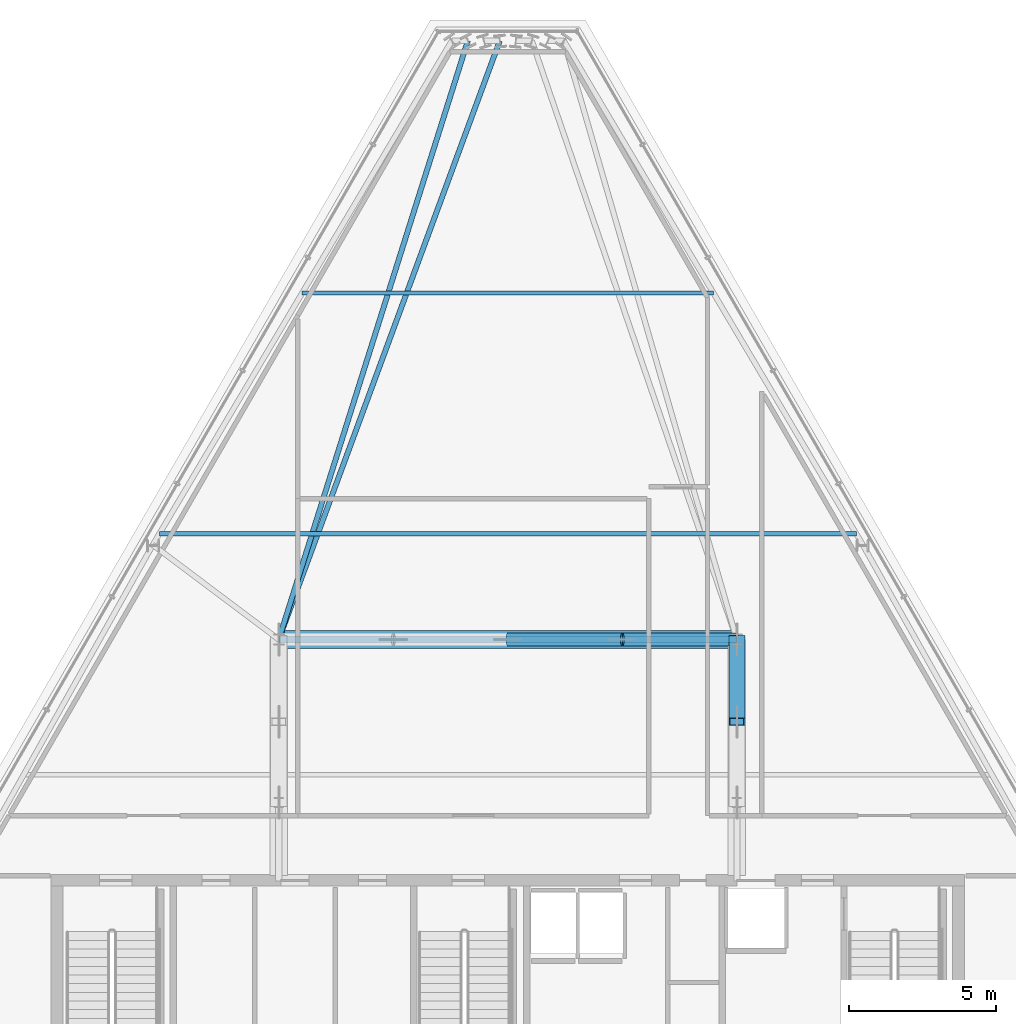
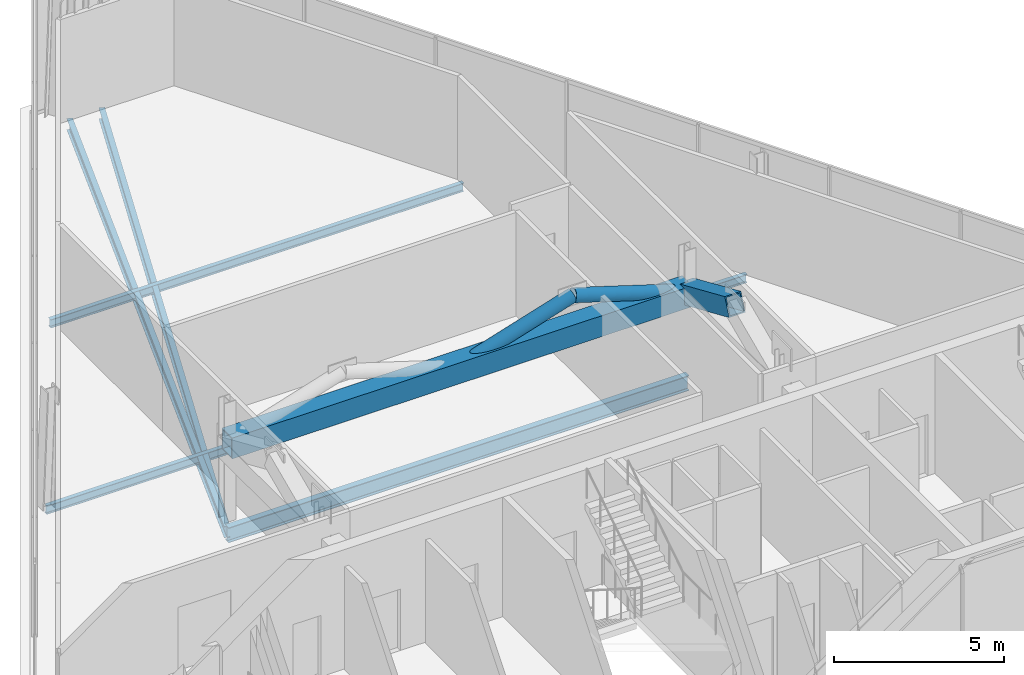
# One storey, part 17 of 32: 5 beams, 4 members.
"""IFC4 building model written with IfcOpenShell, lengths in metres."""

from ifc_helpers import new_model, si_unit, direction, frame, origin, origin_2d, place, context, subcontext, project, spatial, hollow_rectangle, hollow_circle, i_section, extrude, material, material_profile, profile_set, type_object, element, save


model = new_model("IFC4")

# Units and contexts
model_context = context("Model", 3, precision=1e-05, world=origin(), true_north=direction((0.0, 1.0)))
body_context = subcontext(model_context, "Body", "Model", "MODEL_VIEW")
ifc_project = project(units=[si_unit("LENGTHUNIT", "METRE"), si_unit("AREAUNIT", "SQUARE_METRE"), si_unit("VOLUMEUNIT", "CUBIC_METRE"), si_unit("PLANEANGLEUNIT", "RADIAN"), si_unit("MASSUNIT", "GRAM", prefix="KILO")], contexts=[model_context])

# Site, building, storey
site_placement = place(None, origin())
site = spatial("IfcSite", under=ifc_project, at=site_placement, CompositionType="ELEMENT")
building_placement = place(site_placement, origin())
building = spatial("IfcBuilding", under=site, at=building_placement, Name="Ndaravel Arena Tower", CompositionType="ELEMENT")
storey_placement = place(building_placement, frame((0.0, 0.0, 278.800048828125)))
storey = spatial("IfcBuildingStorey", under=building, at=storey_placement, Name="L68", CompositionType="ELEMENT", Elevation=278.800048828125)

# Beams
ifc_material_1 = material(Name="Steel S355", Category="steel")
ifc_material_profile_1 = material_profile(ifc_material_1, i_section(OverallWidth=0.1787109375, OverallDepth=0.409423828125, WebThickness=0.0087890625, FlangeThickness=0.014404296875, FilletRadius=0.01025390625, at=origin_2d()), Name="UB 406x178x67")
ifc_profile_set_1 = profile_set([ifc_material_profile_1], Name="Steel S355")
beam_type_1 = type_object("IfcBeamType", Name="BM-GIRD-UB406", PredefinedType="BEAM", material=ifc_profile_set_1)
beam_1_placement = place(storey_placement, frame((41.727783203125, 43.59228515625, -0.48486328125), z_axis=(-0.34630747981, -0.938121063311, 0.0), x_axis=(0.938121063311, -0.34630747981, 0.0)))
element("IfcBeam", 1, at=beam_1_placement, inside=storey, type_object=beam_type_1, Name="L68 Radial Floor Girder FG-15", PredefinedType="BEAM", context=body_context, shape_type="SweptSolid", body=[
    extrude(i_section(OverallWidth=0.1787109375, OverallDepth=0.409423828125, WebThickness=0.0087890625, FlangeThickness=0.014404296875, FilletRadius=0.01025390625, at=origin_2d()), origin(), (0.0, 0.0, 1.0), 21.7373046875),
])
beam_2_placement = place(storey_placement, frame((40.638916015625, 43.59228515625, -0.48486328125), z_axis=(-0.301100770209, -0.953592327035, 0.0), x_axis=(0.953592327035, -0.301100770209, 0.0)))
element("IfcBeam", 2, at=beam_2_placement, inside=storey, type_object=beam_type_1, Name="L68 Radial Floor Girder FG-17", PredefinedType="BEAM", context=body_context, shape_type="SweptSolid", body=[
    extrude(i_section(OverallWidth=0.1787109375, OverallDepth=0.409423828125, WebThickness=0.0087890625, FlangeThickness=0.014404296875, FilletRadius=0.01025390625, at=origin_2d()), origin(), (0.0, 0.0, 1.0), 21.384765625),
])
ifc_material_2 = material(Name="Steel S355", Category="steel")
ifc_material_profile_2 = material_profile(ifc_material_2, i_section(OverallWidth=0.210693359375, OverallDepth=0.53955078125, WebThickness=0.01171875, FlangeThickness=0.018798828125, FilletRadius=0.0126953125, at=origin_2d()), Name="UB 533x210x109")
ifc_profile_set_2 = profile_set([ifc_material_profile_2], Name="Steel S355")
beam_type_2 = type_object("IfcBeamType", Name="BM-GIRD-UB533", PredefinedType="BEAM", material=ifc_profile_set_2)
beam_3_placement = place(storey_placement, frame((34.199951171875, 23.199951171875, -0.5498046875), z_axis=(1.0, 0.0, 0.0), x_axis=(0.0, 1.0, 0.0)))
element("IfcBeam", 3, at=beam_3_placement, inside=storey, type_object=beam_type_2, Name="L68 Spine Link Girder SLG-03", PredefinedType="BEAM", context=body_context, shape_type="SweptSolid", body=[
    extrude(i_section(OverallWidth=0.210693359375, OverallDepth=0.53955078125, WebThickness=0.01171875, FlangeThickness=0.018798828125, FilletRadius=0.0126953125, at=origin_2d()), origin(), (0.0, 0.0, 1.0), 15.60009765625),
])
ifc_material_3 = material(Name="Steel S355", Category="steel")
ifc_material_profile_3 = material_profile(ifc_material_3, i_section(OverallWidth=0.14990234375, OverallDepth=0.300048828125, WebThickness=0.007080078125, FlangeThickness=0.0107421875, FilletRadius=0.014892578125, at=origin_2d()), Name="IPE 300")
ifc_profile_set_3 = profile_set([ifc_material_profile_3], Name="Steel S355")
beam_type_3 = type_object("IfcBeamType", Name="BM-JOIST-IPE300", PredefinedType="JOIST", material=ifc_profile_set_3)
beam_4_placement = place(storey_placement, frame((30.13330078125, 26.800048828125, -0.429931640625), z_axis=(1.0, 0.0, 0.0), x_axis=(0.0, 1.0, 0.0)))
element("IfcBeam", 4, at=beam_4_placement, inside=storey, type_object=beam_type_3, Name="L68 Composite Floor Joist FJ-02", PredefinedType="JOIST", context=body_context, shape_type="SweptSolid", body=[
    extrude(i_section(OverallWidth=0.14990234375, OverallDepth=0.300048828125, WebThickness=0.007080078125, FlangeThickness=0.0107421875, FilletRadius=0.014892578125, at=origin_2d()), origin(), (0.0, 0.0, 1.0), 23.7333984375),
])
beam_5_placement = place(storey_placement, frame((34.99755859375, 35.0, -0.429931640625), z_axis=(1.0, 0.0, 0.0), x_axis=(0.0, 1.0, 0.0)))
element("IfcBeam", 5, at=beam_5_placement, inside=storey, type_object=beam_type_3, Name="L68 Composite Floor Joist FJ-03", PredefinedType="JOIST", context=body_context, shape_type="SweptSolid", body=[
    extrude(i_section(OverallWidth=0.14990234375, OverallDepth=0.300048828125, WebThickness=0.007080078125, FlangeThickness=0.0107421875, FilletRadius=0.014892578125, at=origin_2d()), origin(), (0.0, 0.0, 1.0), 14.0048828125),
])

# Members
ifc_material_4 = material(Name="Steel S460", Category="steel")
ifc_material_profile_4 = material_profile(ifc_material_4, hollow_circle(Radius=0.228515625, WallThickness=0.02001953125, at=origin_2d()), Name="CHS 457x20")
ifc_profile_set_4 = profile_set([ifc_material_profile_4], Name="Steel S460")
member_type_1 = type_object("IfcMemberType", Name="MEM-BT-DIAG2", PredefinedType="BRACE", material=ifc_profile_set_4)
member_1_placement = place(storey_placement, frame((42.0, 23.199951171875, 2.679931640625), z_axis=(0.954392762463, 0.0, 0.298553939779), x_axis=(0.0, 1.0, 0.0)))
element("IfcMember", 6, at=member_1_placement, inside=storey, type_object=member_type_1, Name="Hat Truss BT-3 Diagonal 03", PredefinedType="BRACE", context=body_context, shape_type="SweptSolid", body=[
    extrude(hollow_circle(Radius=0.228515625, WallThickness=0.02001953125, at=origin_2d()), origin(), (0.0, 0.0, 1.0), 4.086181640625),
])
member_2_placement = place(storey_placement, frame((45.89990234375, 23.199951171875, 3.89990234375), z_axis=(0.954398087492, 0.0, -0.298536916632), x_axis=(0.0, 1.0, 0.0)))
element("IfcMember", 7, at=member_2_placement, inside=storey, type_object=member_type_1, Name="Hat Truss BT-3 Diagonal 04", PredefinedType="BRACE", context=body_context, shape_type="SweptSolid", body=[
    extrude(hollow_circle(Radius=0.228515625, WallThickness=0.02001953125, at=origin_2d()), origin(), (0.0, 0.0, 1.0), 4.08642578125),
])
ifc_material_5 = material(Name="Steel S460", Category="steel")
ifc_material_profile_5 = material_profile(ifc_material_5, hollow_rectangle(XDim=0.60009765625, YDim=0.75, WallThickness=0.044921875, at=origin_2d()), Name="BOX 750x600x45")
ifc_profile_set_5 = profile_set([ifc_material_profile_5], Name="Steel S460")
member_type_2 = type_object("IfcMemberType", Name="MEM-OT-CHORD", PredefinedType="CHORD", material=ifc_profile_set_5)
member_3_placement = place(storey_placement, frame((34.199951171875, 23.199951171875, 2.679931640625), z_axis=(1.0, 0.0, 0.0), x_axis=(0.0, 1.0, 0.0)))
element("IfcMember", 8, at=member_3_placement, inside=storey, type_object=member_type_2, Name="Hat Truss BT-3 Bottom Chord", PredefinedType="CHORD", context=body_context, shape_type="SweptSolid", body=[
    extrude(hollow_rectangle(XDim=0.60009765625, YDim=0.75, WallThickness=0.044921875, at=origin_2d()), origin(), (0.0, 0.0, 1.0), 15.60009765625),
])
ifc_material_6 = material(Name="Steel S460", Category="steel")
ifc_material_profile_6 = material_profile(ifc_material_6, hollow_rectangle(XDim=0.550048828125, YDim=0.64990234375, WallThickness=0.0400390625, at=origin_2d()), Name="BOX 650x550x40")
ifc_profile_set_6 = profile_set([ifc_material_profile_6], Name="Steel S460")
member_type_3 = type_object("IfcMemberType", Name="MEM-OT-DIAG", PredefinedType="BRACE", material=ifc_profile_set_6)
member_4_placement = place(storey_placement, frame((49.800048828125, 20.39990234375, 3.89990234375), z_axis=(0.0, 0.916763520157, -0.399430404588), x_axis=(-1.0, 0.0, 0.0)))
element("IfcMember", 9, at=member_4_placement, inside=storey, type_object=member_type_3, Name="Outrigger Truss OT-3.2 Diagonal 2", PredefinedType="BRACE", context=body_context, shape_type="SweptSolid", body=[
    extrude(hollow_rectangle(XDim=0.550048828125, YDim=0.64990234375, WallThickness=0.0400390625, at=origin_2d()), origin(), (0.0, 0.0, 1.0), 3.05419921875),
])

save(model, "model.ifc")
